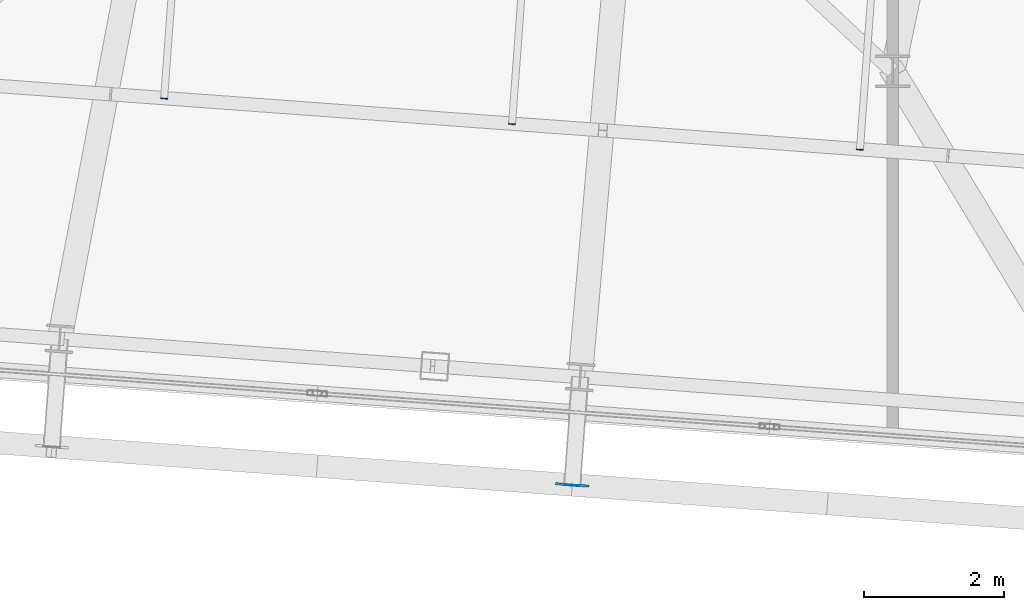
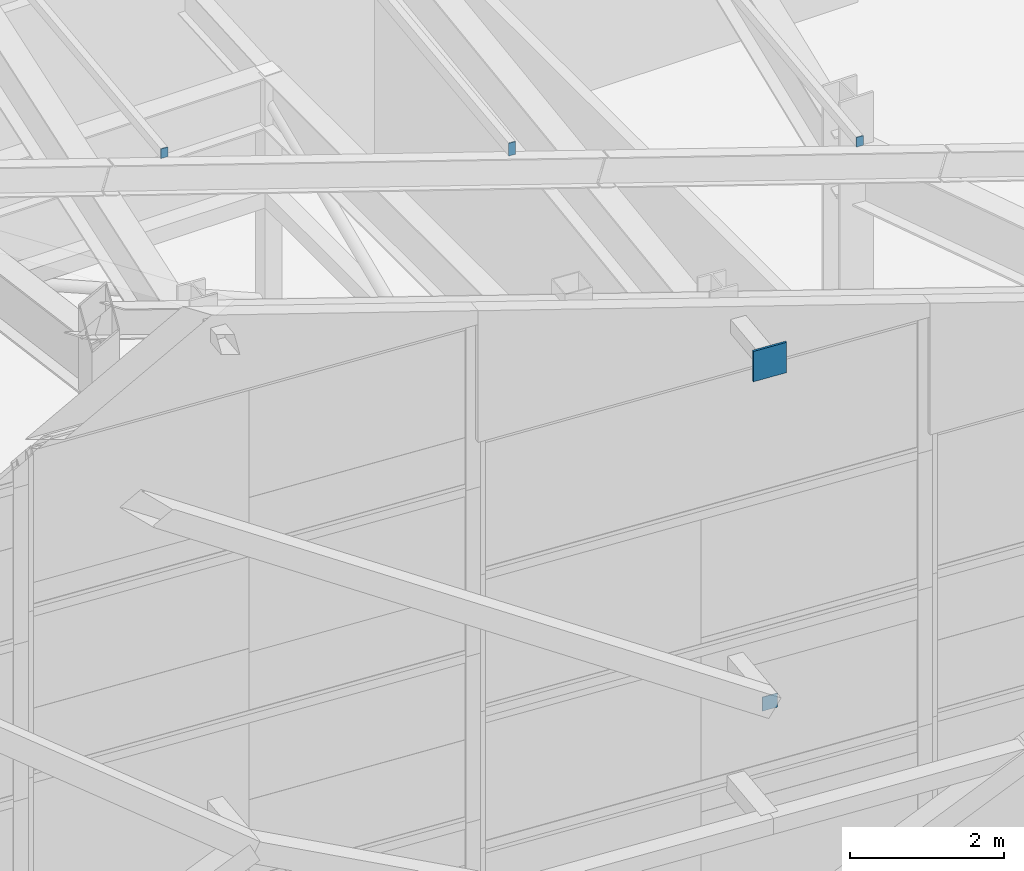
# One storey, part 40 of 56: 5 plates.
"""IFC4 building model written with IfcOpenShell, lengths in metres."""

from ifc_helpers import new_model, si_unit, direction, frame, origin, origin_2d, place, context, subcontext, project, spatial, rectangle, extrude, source, transform, mapped, material, layer, layer_set, type_object, element, save


model = new_model("IFC4")

# Units and contexts
model_context = context("Model", 3, precision=1e-05, world=origin(), true_north=direction((0.0, 1.0)))
body_context = subcontext(model_context, "Body", "Model", "MODEL_VIEW")
ifc_project = project(units=[si_unit("LENGTHUNIT", "METRE"), si_unit("AREAUNIT", "SQUARE_METRE"), si_unit("VOLUMEUNIT", "CUBIC_METRE"), si_unit("PLANEANGLEUNIT", "RADIAN"), si_unit("MASSUNIT", "GRAM", prefix="KILO")], contexts=[model_context])

# Site, building, storey
site_placement = place(None, origin())
site = spatial("IfcSite", under=ifc_project, at=site_placement, CompositionType="ELEMENT")
building_placement = place(site_placement, origin())
building = spatial("IfcBuilding", under=site, at=building_placement, Name="Taldren Reach Tower", CompositionType="ELEMENT")
storey_placement = place(building_placement, frame((0.0, 0.0, 253.050048828125)))
storey = spatial("IfcBuildingStorey", under=building, at=storey_placement, Name="L77", CompositionType="ELEMENT", Elevation=253.050048828125)

# Plates
ifc_material_1 = material(Name="Steel Gr 450 (C450L0)", Category="steel")
ifc_layer_1 = layer(ifc_material_1, 0.031982421875)
ifc_layer_set_1 = layer_set([ifc_layer_1], Name="Steel Gr 450 (C450L0)")
plate_type_1 = type_object("IfcPlateType", Name="PL-GUSSET-32", PredefinedType="SHEET", material=ifc_layer_set_1)
shared_shape_1 = source(origin(), body_context, "Body", "SweptSolid", [
    extrude(rectangle(XDim=0.47998046875, YDim=0.031982421875, at=origin_2d()), origin(), (0.0, 0.0, 1.0), 0.47998046875),
])
plate_1_placement = place(storey_placement, frame((37.406982421875, 3.27099609375, 9.137939453125), z_axis=(0.0, 0.0, 1.0), x_axis=(0.997314477224, -0.073238197128, 0.0)))
element("IfcPlate", 1, at=plate_1_placement, inside=storey, type_object=plate_type_1, Name="Exoskeleton star-node gusset plate B5-S4 L77", PredefinedType="SHEET", context=body_context, shape_type="MappedRepresentation", body=[
    mapped(shared_shape_1, transform((0.0, 0.0, 0.0), scale=1.0)),
])
ifc_layer_2 = layer(ifc_material_1, 0.011962890625)
ifc_layer_set_2 = layer_set([ifc_layer_2], Name="Steel Gr 450 (C450L0)")
plate_type_2 = type_object("IfcPlateType", Name="PL-CAP-220", PredefinedType="SHEET", material=ifc_layer_set_2)
shared_shape_2 = source(origin(), body_context, "Body", "SweptSolid", [
    extrude(rectangle(XDim=0.219970703125, YDim=0.011962890625, at=origin_2d()), origin(), (0.0, 0.0, 1.0), 0.219970703125),
])
plate_2_placement = place(storey_placement, frame((37.406494140625, 3.264892578125, 3.89013671875), z_axis=(0.0, 0.0, 1.0), x_axis=(0.997314477224, -0.073238197128, 0.0)))
element("IfcPlate", 2, at=plate_2_placement, inside=storey, type_object=plate_type_2, Name="Tie strut end cap plate B5-S4 L77", PredefinedType="SHEET", context=body_context, shape_type="MappedRepresentation", body=[
    mapped(shared_shape_2, transform((0.0, 0.0, 0.0), scale=1.0)),
])
ifc_material_2 = material(Name="Steel Gr 350 (C350L0)", Category="steel")
ifc_layer_3 = layer(ifc_material_2, 0.011962890625)
ifc_layer_set_3 = layer_set([ifc_layer_3], Name="Steel Gr 350 (C350L0)")
plate_type_3 = type_object("IfcPlateType", Name="PL-CAP-100X200", PredefinedType="SHEET", material=ifc_layer_set_3)
shared_shape_3 = source(origin(), body_context, "Body", "SweptSolid", [
    extrude(rectangle(XDim=0.10009765625, YDim=0.011962890625, at=origin_2d()), origin(), (0.0, 0.0, 1.0), 0.199951171875),
])
plate_3_placement = place(storey_placement, frame((36.543212890625, 8.442138671875, 9.80908203125), z_axis=(0.0, 0.0, 1.0), x_axis=(0.997314477224, -0.073238197128, 0.0)))
element("IfcPlate", 3, at=plate_3_placement, inside=storey, type_object=plate_type_3, Name="Crown roof purlin end cap plate PR-5.1", PredefinedType="SHEET", context=body_context, shape_type="MappedRepresentation", body=[
    mapped(shared_shape_3, transform((0.0, 0.0, 0.0), scale=1.0)),
])
ifc_layer_4 = layer(ifc_material_2, 0.011962890625)
ifc_layer_set_4 = layer_set([ifc_layer_4], Name="Steel Gr 350 (C350L0)")
plate_type_4 = type_object("IfcPlateType", Name="PL-CAP-100X150", PredefinedType="SHEET", material=ifc_layer_set_4)
shared_shape_4 = source(origin(), body_context, "Body", "SweptSolid", [
    extrude(rectangle(XDim=0.10009765625, YDim=0.011962890625, at=origin_2d()), origin(), (0.0, 0.0, 1.0), 0.14990234375),
])
for number, where, z_axis, x_axis, name in (
    (4, (31.556640625, 8.808349609375, 11.29345703125), (0.0, 0.0, 1.0), (0.997314477224, -0.073238197128, 0.0), "Crown roof purlin end cap plate PR-4.1"),
    (5, (41.52978515625, 8.075927734375, 8.427001953125), (0.0, 0.0, 1.0), (0.997314477224, -0.073238197128, 0.0), "Crown roof purlin end cap plate PR-6.1"),
):
    element("IfcPlate", number, at=place(storey_placement, frame(where, z_axis=z_axis, x_axis=x_axis)), inside=storey, type_object=plate_type_4, Name=name, PredefinedType="SHEET", context=body_context, shape_type="MappedRepresentation", body=[
        mapped(shared_shape_4, transform((0.0, 0.0, 0.0), scale=1.0)),
    ])

save(model, "model.ifc")
